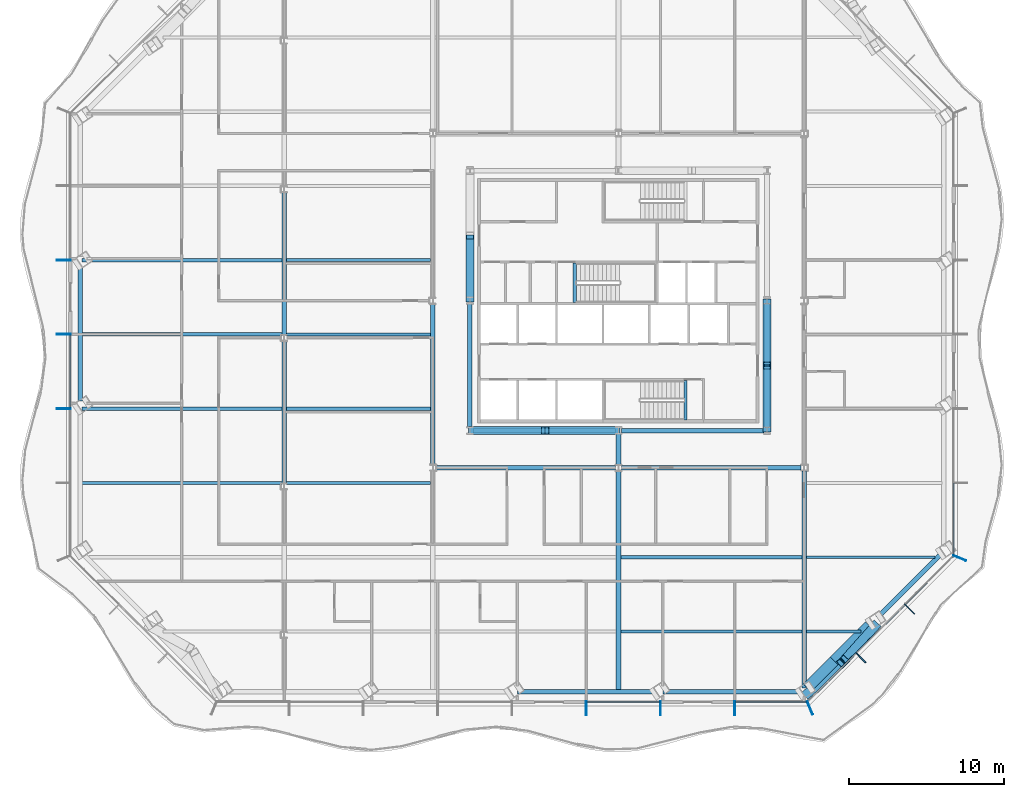
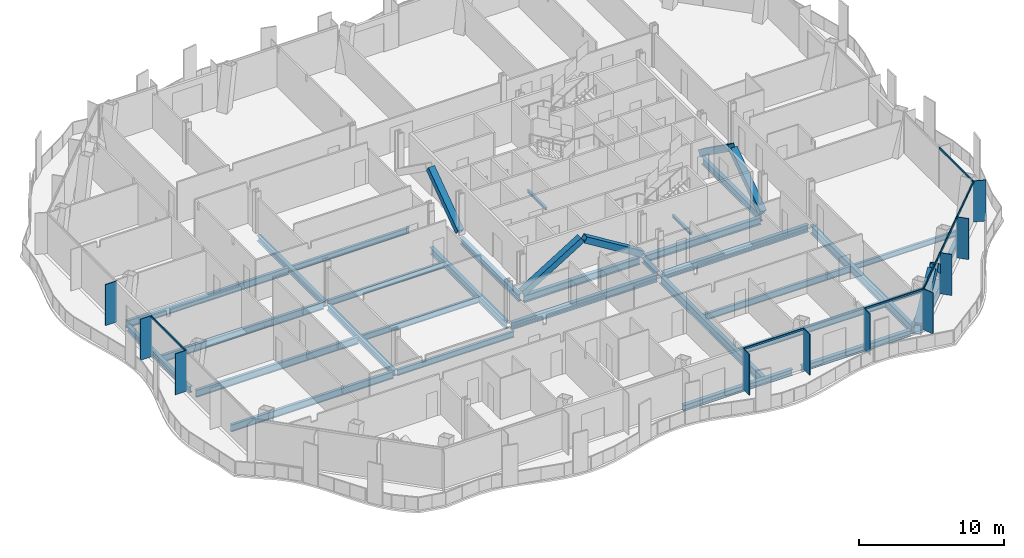
# One storey, part 2 of 19: 32 beams, 24 members, 4 elements without a shape of their own.
"""IFC4 building model written with IfcOpenShell, lengths in metres."""

from ifc_helpers import new_model, si_unit, direction, frame, origin, origin_2d, place, context, subcontext, project, spatial, rectangle, hollow_rectangle, i_section, extrude, material, material_profile, profile_set, type_object, element, aggregate, save


model = new_model("IFC4")

# Units and contexts
model_context = context("Model", 3, precision=1e-05, world=origin(), true_north=direction((0.0, 1.0)))
body_context = subcontext(model_context, "Body", "Model", "MODEL_VIEW")
ifc_project = project(units=[si_unit("LENGTHUNIT", "METRE"), si_unit("AREAUNIT", "SQUARE_METRE"), si_unit("VOLUMEUNIT", "CUBIC_METRE"), si_unit("PLANEANGLEUNIT", "RADIAN"), si_unit("MASSUNIT", "GRAM", prefix="KILO")], contexts=[model_context])

# Site, building, storey
site_placement = place(None, origin())
site = spatial("IfcSite", under=ifc_project, at=site_placement, CompositionType="ELEMENT")
building_placement = place(site_placement, origin())
building = spatial("IfcBuilding", under=site, at=building_placement, Name="Cairn Pilgrim Tower", CompositionType="ELEMENT")
storey_placement = place(building_placement, frame((0.0, 0.0, 90.60009765625)))
storey = spatial("IfcBuildingStorey", under=building, at=storey_placement, Name="L21", CompositionType="ELEMENT", Elevation=90.60009765625)

# Members
ifc_material_1 = material(Name="Structural steel S460M", Category="steel")
ifc_material_profile_1 = material_profile(ifc_material_1, hollow_rectangle(XDim=0.5, YDim=0.5, WallThickness=0.030029296875, at=origin_2d()), Name="BOX 500x500x30")
ifc_profile_set_1 = profile_set([ifc_material_profile_1], Name="Structural steel S460M")
member_type_1 = type_object("IfcMemberType", Name="BOX 500x500x30 BRACE", PredefinedType="BRACE", material=ifc_profile_set_1)
member_1_placement = place(storey_placement, frame((-2.356201171875, -6.0, 0.099853515625), z_axis=(0.850990224345, 0.0, 0.525181528683), x_axis=(0.0, 1.0, 0.0)))
element("IfcMember", 1, at=member_1_placement, inside=storey, type_object=member_type_1, Name="KB-1A", PredefinedType="BRACE", context=body_context, shape_type="SweptSolid", body=[
    extrude(hollow_rectangle(XDim=0.5, YDim=0.5, WallThickness=0.030029296875, at=origin_2d()), origin(), (0.0, 0.0, 1.0), 5.5263671875),
])
member_2_placement = place(storey_placement, frame((7.15625, -6.0, 0.099853515625), z_axis=(-0.851007515624, 0.0, 0.525153509321), x_axis=(0.0, -1.0, 0.0)))
element("IfcMember", 2, at=member_2_placement, inside=storey, type_object=member_type_1, Name="KB-1B", PredefinedType="BRACE", context=body_context, shape_type="SweptSolid", body=[
    extrude(hollow_rectangle(XDim=0.5, YDim=0.5, WallThickness=0.030029296875, at=origin_2d()), origin(), (0.0, 0.0, 1.0), 5.37646484375),
])
member_3_placement = place(storey_placement, frame((16.800048828125, -5.956298828125, 0.099853515625), z_axis=(0.0, 0.814175628242, 0.580618675532), x_axis=(-1.0, 0.0, 0.0)))
element("IfcMember", 3, at=member_3_placement, inside=storey, type_object=member_type_1, Name="KB-2A", PredefinedType="BRACE", context=body_context, shape_type="SweptSolid", body=[
    extrude(hollow_rectangle(XDim=0.5, YDim=0.5, WallThickness=0.030029296875, at=origin_2d()), origin(), (0.0, 0.0, 1.0), 4.99658203125),
])
member_4_placement = place(storey_placement, frame((16.800048828125, 2.356201171875, 0.099853515625), z_axis=(0.0, -0.814159155237, 0.580641774198), x_axis=(1.0, 0.0, 0.0)))
element("IfcMember", 4, at=member_4_placement, inside=storey, type_object=member_type_1, Name="KB-2B", PredefinedType="BRACE", context=body_context, shape_type="SweptSolid", body=[
    extrude(hollow_rectangle(XDim=0.5, YDim=0.5, WallThickness=0.030029296875, at=origin_2d()), origin(), (0.0, 0.0, 1.0), 4.996337890625),
])
member_5_placement = place(storey_placement, frame((-2.39990234375, 2.443603515625, 0.099853515625), z_axis=(0.0, 0.814175628242, 0.580618675532), x_axis=(-1.0, 0.0, 0.0)))
element("IfcMember", 5, at=member_5_placement, inside=storey, type_object=member_type_1, Name="KB-4B", PredefinedType="BRACE", context=body_context, shape_type="SweptSolid", body=[
    extrude(hollow_rectangle(XDim=0.5, YDim=0.5, WallThickness=0.030029296875, at=origin_2d()), origin(), (0.0, 0.0, 1.0), 4.99658203125),
])
ifc_material_profile_2 = material_profile(ifc_material_1, hollow_rectangle(XDim=0.60009765625, YDim=0.60009765625, WallThickness=0.034912109375, at=origin_2d()), Name="BOX 600x600x35")
ifc_profile_set_2 = profile_set([ifc_material_profile_2], Name="Structural steel S460M")
member_type_2 = type_object("IfcMemberType", Name="BOX 600x600x35 BRACE", PredefinedType="BRACE", material=ifc_profile_set_2)
member_6_placement = place(storey_placement, frame((19.3916015625, -23.01708984375, 0.14990234375), z_axis=(0.559600082454, 0.498888176542, 0.661784205783), x_axis=(-0.6654554031, 0.746437610578, 0.0)))
element("IfcMember", 6, at=member_6_placement, inside=storey, type_object=member_type_2, Name="XB-SE1-SE2-1", PredefinedType="BRACE", context=body_context, shape_type="SweptSolid", body=[
    extrude(hollow_rectangle(XDim=0.60009765625, YDim=0.60009765625, WallThickness=0.034912109375, at=origin_2d()), origin(), (0.0, 0.0, 1.0), 3.9970703125),
])
member_7_placement = place(storey_placement, frame((23.81494140625, -18.593994140625, 0.14990234375), z_axis=(-0.498934051061, -0.559583030459, 0.661764040059), x_axis=(0.746397143023, -0.665500792552, 0.0)))
element("IfcMember", 7, at=member_7_placement, inside=storey, type_object=member_type_2, Name="XB-SE1-SE2-2", PredefinedType="BRACE", context=body_context, shape_type="SweptSolid", body=[
    extrude(hollow_rectangle(XDim=0.60009765625, YDim=0.60009765625, WallThickness=0.034912109375, at=origin_2d()), origin(), (0.0, 0.0, 1.0), 3.997314453125),
])

# Beams
ifc_material_2 = material(Name="Structural steel S355J2", Category="steel")
ifc_material_profile_3 = material_profile(ifc_material_2, hollow_rectangle(XDim=0.699951171875, YDim=0.800048828125, WallThickness=0.0400390625, at=origin_2d()), Name="BOX 700x800x40")
ifc_profile_set_3 = profile_set([ifc_material_profile_3], Name="Structural steel S355J2")
beam_type_1 = type_object("IfcBeamType", Name="BOX 700x800x40 RING GIRDER", PredefinedType="SPANDREL", material=ifc_profile_set_3)
beam_1_placement = place(storey_placement, frame((19.40234375, -22.6318359375, -0.550048828125), z_axis=(0.707057355626, 0.707156203292, 0.0), x_axis=(-0.707156203292, 0.707057355626, 0.0)))
element("IfcBeam", 8, at=beam_1_placement, inside=storey, type_object=beam_type_1, Name="RG1-SE1-SE2-1", PredefinedType="SPANDREL", context=body_context, shape_type="SweptSolid", body=[
    extrude(hollow_rectangle(XDim=0.699951171875, YDim=0.800048828125, WallThickness=0.0400390625, at=origin_2d()), origin(), (0.0, 0.0, 1.0), 2.469970703125),
])
beam_2_placement = place(storey_placement, frame((21.148681640625, -20.88525390625, -0.550048828125), z_axis=(0.707106781187, 0.707106781187, 0.0), x_axis=(-0.707106781187, 0.707106781187, 0.0)))
element("IfcBeam", 9, at=beam_2_placement, inside=storey, type_object=beam_type_1, Name="RG1-SE1-SE2-2", PredefinedType="SPANDREL", context=body_context, shape_type="SweptSolid", body=[
    extrude(hollow_rectangle(XDim=0.699951171875, YDim=0.800048828125, WallThickness=0.0400390625, at=origin_2d()), origin(), (0.0, 0.0, 1.0), 3.2255859375),
])

# Curtain wall, members
ifc_material_3 = material(Name="Aluminium alloy 6063-T6 bronze anodised with Bronze tinted laminated low-E glass 8+16+8.8", Category="aluminium")
curtain_wall_type_1 = type_object("IfcCurtainWallType", Name="TOWER STICK CURTAIN WALL NS", PredefinedType="NOTDEFINED", material=ifc_material_3)
curtain_wall_1_placement = place(storey_placement, origin())
curtain_wall_1 = element("IfcCurtainWall", 10, at=curtain_wall_1_placement, inside=storey, type_object=curtain_wall_type_1, Name="Tower Stick Curtain Wall Ns S", PredefinedType="NOTDEFINED")
ifc_material_4 = material(Name="Aluminium alloy 6063-T6 bronze anodised", Category="aluminium")
ifc_material_profile_4 = material_profile(ifc_material_4, rectangle(XDim=0.89990234375, YDim=0.06005859375, at=origin_2d()), Name="FIN MULLION 60x900 BRONZE")
ifc_profile_set_4 = profile_set([ifc_material_profile_4], Name="Aluminium alloy 6063-T6 bronze anodised")
member_type_3 = type_object("IfcMemberType", Name="FIN MULLION 60x900 BRONZE", PredefinedType="MULLION", material=ifc_profile_set_4)
member_8_placement = place(storey_placement, frame((5.12060546875, -23.956298828125, 0.0), z_axis=(0.0, 0.0, 1.0), x_axis=(0.0, -1.0, 0.0)))
member_8 = element("IfcMember", 11, at=member_8_placement, type_object=member_type_3, Name="Fin mullion S6", PredefinedType="MULLION", context=body_context, shape_type="SweptSolid", body=[
    extrude(rectangle(XDim=0.89990234375, YDim=0.06005859375, at=origin_2d()), origin(), (0.0, 0.0, 1.0), 3.449951171875),
])
member_9_placement = place(storey_placement, frame((9.92041015625, -23.956298828125, 0.0), z_axis=(0.0, 0.0, 1.0), x_axis=(0.0, -1.0, 0.0)))
member_9 = element("IfcMember", 12, at=member_9_placement, type_object=member_type_3, Name="Fin mullion S7", PredefinedType="MULLION", context=body_context, shape_type="SweptSolid", body=[
    extrude(rectangle(XDim=0.89990234375, YDim=0.06005859375, at=origin_2d()), origin(), (0.0, 0.0, 1.0), 3.449951171875),
])
member_10_placement = place(storey_placement, frame((14.720458984375, -23.956298828125, 0.0), z_axis=(0.0, 0.0, 1.0), x_axis=(0.0, -1.0, 0.0)))
member_10 = element("IfcMember", 13, at=member_10_placement, type_object=member_type_3, Name="Fin mullion S8", PredefinedType="MULLION", context=body_context, shape_type="SweptSolid", body=[
    extrude(rectangle(XDim=0.89990234375, YDim=0.06005859375, at=origin_2d()), origin(), (0.0, 0.0, 1.0), 3.449951171875),
])

curtain_wall_type_2 = type_object("IfcCurtainWallType", Name="CHAMFER CORNER CURTAIN WALL", PredefinedType="NOTDEFINED", material=ifc_material_3)
curtain_wall_2_placement = place(storey_placement, origin())
curtain_wall_2 = element("IfcCurtainWall", 14, at=curtain_wall_2_placement, inside=storey, type_object=curtain_wall_type_2, Name="Chamfer Corner Curtain Wall SE", PredefinedType="NOTDEFINED")
member_11_placement = place(storey_placement, frame((19.57763671875, -23.92431640625, 0.0), z_axis=(0.0, 0.0, 1.0), x_axis=(0.382683432365, -0.923879532511, 0.0)))
member_11 = element("IfcMember", 15, at=member_11_placement, type_object=member_type_3, Name="Fin mullion SE1", PredefinedType="MULLION", context=body_context, shape_type="SweptSolid", body=[
    extrude(rectangle(XDim=0.89990234375, YDim=0.06005859375, at=origin_2d()), origin(), (0.0, 0.0, 1.0), 3.449951171875),
])
member_12_placement = place(storey_placement, frame((22.864990234375, -20.68212890625, 0.0), z_axis=(0.0, 0.0, 1.0), x_axis=(0.707106781187, -0.707106781187, 0.0)))
member_12 = element("IfcMember", 16, at=member_12_placement, type_object=member_type_3, Name="Fin mullion SE2", PredefinedType="MULLION", context=body_context, shape_type="SweptSolid", body=[
    extrude(rectangle(XDim=0.89990234375, YDim=0.06005859375, at=origin_2d()), origin(), (0.0, 0.0, 1.0), 3.449951171875),
])
member_13_placement = place(storey_placement, frame((26.016357421875, -17.531005859375, 0.0), z_axis=(0.0, 0.0, 1.0), x_axis=(0.707106781187, -0.707106781187, 0.0)))
member_13 = element("IfcMember", 17, at=member_13_placement, type_object=member_type_3, Name="Fin mullion SE3", PredefinedType="MULLION", context=body_context, shape_type="SweptSolid", body=[
    extrude(rectangle(XDim=0.89990234375, YDim=0.06005859375, at=origin_2d()), origin(), (0.0, 0.0, 1.0), 3.449951171875),
])

# Curtain wall, member
curtain_wall_type_3 = type_object("IfcCurtainWallType", Name="TOWER STICK CURTAIN WALL EW", PredefinedType="NOTDEFINED", material=ifc_material_3)
curtain_wall_3_placement = place(storey_placement, origin())
curtain_wall_3 = element("IfcCurtainWall", 18, at=curtain_wall_3_placement, inside=storey, type_object=curtain_wall_type_3, Name="Tower Stick Curtain Wall Ew E", PredefinedType="NOTDEFINED")
member_14_placement = place(storey_placement, frame((29.258544921875, -14.243408203125, 0.0), z_axis=(0.0, 0.0, 1.0), x_axis=(0.923879532511, -0.382683432365, 0.0)))
member_14 = element("IfcMember", 19, at=member_14_placement, type_object=member_type_3, Name="Fin mullion E1", PredefinedType="MULLION", context=body_context, shape_type="SweptSolid", body=[
    extrude(rectangle(XDim=0.89990234375, YDim=0.06005859375, at=origin_2d()), origin(), (0.0, 0.0, 1.0), 3.449951171875),
])

# Curtain wall, members
curtain_wall_4_placement = place(storey_placement, origin())
curtain_wall_4 = element("IfcCurtainWall", 20, at=curtain_wall_4_placement, inside=storey, type_object=curtain_wall_type_3, Name="Tower Stick Curtain Wall Ew W", PredefinedType="NOTDEFINED")
member_15_placement = place(storey_placement, frame((-28.6494140625, 5.013671875, 0.0), z_axis=(0.0, 0.0, 1.0), x_axis=(-1.0, 0.0, 0.0)))
member_15 = element("IfcMember", 21, at=member_15_placement, type_object=member_type_3, Name="Fin mullion W3", PredefinedType="MULLION", context=body_context, shape_type="SweptSolid", body=[
    extrude(rectangle(XDim=0.89990234375, YDim=0.06005859375, at=origin_2d()), origin(), (0.0, 0.0, 1.0), 3.449951171875),
])
member_16_placement = place(storey_placement, frame((-28.6494140625, 0.213623046875, 0.0), z_axis=(0.0, 0.0, 1.0), x_axis=(-1.0, 0.0, 0.0)))
member_16 = element("IfcMember", 22, at=member_16_placement, type_object=member_type_3, Name="Fin mullion W4", PredefinedType="MULLION", context=body_context, shape_type="SweptSolid", body=[
    extrude(rectangle(XDim=0.89990234375, YDim=0.06005859375, at=origin_2d()), origin(), (0.0, 0.0, 1.0), 3.449951171875),
])
member_17_placement = place(storey_placement, frame((-28.6494140625, -4.58642578125, 0.0), z_axis=(0.0, 0.0, 1.0), x_axis=(-1.0, 0.0, 0.0)))
member_17 = element("IfcMember", 23, at=member_17_placement, type_object=member_type_3, Name="Fin mullion W5", PredefinedType="MULLION", context=body_context, shape_type="SweptSolid", body=[
    extrude(rectangle(XDim=0.89990234375, YDim=0.06005859375, at=origin_2d()), origin(), (0.0, 0.0, 1.0), 3.449951171875),
])

# Beams
ifc_material_profile_5 = material_profile(ifc_material_2, i_section(OverallWidth=0.300048828125, OverallDepth=0.39990234375, WebThickness=0.013427734375, FlangeThickness=0.02392578125, FilletRadius=0.027099609375, at=origin_2d()), Name="HEB 400")
ifc_profile_set_5 = profile_set([ifc_material_profile_5], Name="Structural steel S355J2")
beam_type_2 = type_object("IfcBeamType", Name="HEB 400 GIRDER", PredefinedType="BEAM", material=ifc_profile_set_5)
beam_3_placement = place(storey_placement, frame((7.199951171875, -8.195556640625, -0.35009765625), z_axis=(0.0, 1.0, 0.0), x_axis=(-1.0, 0.0, 0.0)))
element("IfcBeam", 24, at=beam_3_placement, inside=storey, type_object=beam_type_2, Name="PG3-E1", PredefinedType="BEAM", context=body_context, shape_type="SweptSolid", body=[
    extrude(i_section(OverallWidth=0.300048828125, OverallDepth=0.39990234375, WebThickness=0.013427734375, FlangeThickness=0.02392578125, FilletRadius=0.027099609375, at=origin_2d()), origin(), (0.0, 0.0, 1.0), 1.97705078125),
])
ifc_material_profile_6 = material_profile(ifc_material_2, i_section(OverallWidth=0.300048828125, OverallDepth=0.5, WebThickness=0.014404296875, FlangeThickness=0.028076171875, FilletRadius=0.027099609375, at=origin_2d()), Name="HEB 500")
ifc_profile_set_6 = profile_set([ifc_material_profile_6], Name="Structural steel S355J2")
beam_type_3 = type_object("IfcBeamType", Name="HEB 500 GIRDER", PredefinedType="BEAM", material=ifc_profile_set_6)
for number, where, z_axis, x_axis, name in (
    (25, (-14.39990234375, -9.3955078125, -0.400146484375), (0.0, 1.0, 0.0), (-1.0, 0.0, 0.0), "PG1-3"),
    (26, (-14.39990234375, 0.20458984375, -0.400146484375), (0.0, 1.0, 0.0), (-1.0, 0.0, 0.0), "PG1-4"),
):
    element("IfcBeam", number, at=place(storey_placement, frame(where, z_axis=z_axis, x_axis=x_axis)), inside=storey, type_object=beam_type_3, Name=name, PredefinedType="BEAM", context=body_context, shape_type="SweptSolid", body=[
        extrude(i_section(OverallWidth=0.300048828125, OverallDepth=0.5, WebThickness=0.014404296875, FlangeThickness=0.028076171875, FilletRadius=0.027099609375, at=origin_2d()), origin(), (0.0, 0.0, 1.0), 9.19091796875),
    ])
ifc_material_profile_7 = material_profile(ifc_material_2, i_section(OverallWidth=0.300048828125, OverallDepth=0.5, WebThickness=0.014404296875, FlangeThickness=0.028076171875, FilletRadius=0.027099609375, at=origin_2d()), Name="HEB 500")
ifc_profile_set_7 = profile_set([ifc_material_profile_7], Name="Structural steel S355J2")
beam_type_4 = type_object("IfcBeamType", Name="HEB 500 RING GIRDER", PredefinedType="SPANDREL", material=ifc_profile_set_7)
for number, where, z_axis, x_axis, name in (
    (27, (0.680419921875, -22.88623046875, -0.400146484375), (1.0, 0.0, 0.0), (0.0, 1.0, 0.0), "RG1-S3-S4"),
    (28, (10.093994140625, -22.88623046875, -0.400146484375), (1.0, 0.0, 0.0), (0.0, 1.0, 0.0), "RG1-S4-SE1"),
):
    element("IfcBeam", number, at=place(storey_placement, frame(where, z_axis=z_axis, x_axis=x_axis)), inside=storey, type_object=beam_type_4, Name=name, PredefinedType="SPANDREL", context=body_context, shape_type="SweptSolid", body=[
        extrude(i_section(OverallWidth=0.300048828125, OverallDepth=0.5, WebThickness=0.014404296875, FlangeThickness=0.028076171875, FilletRadius=0.027099609375, at=origin_2d()), origin(), (0.0, 0.0, 1.0), 8.693603515625),
    ])
beam_4_placement = place(storey_placement, frame((23.938720703125, -18.095458984375, -0.400146484375), z_axis=(0.707085347538, 0.707128214185, 0.0), x_axis=(-0.707128214185, 0.707085347538, 0.0)))
element("IfcBeam", 29, at=beam_4_placement, inside=storey, type_object=beam_type_4, Name="RG1-SE2-E1", PredefinedType="SPANDREL", context=body_context, shape_type="SweptSolid", body=[
    extrude(i_section(OverallWidth=0.300048828125, OverallDepth=0.5, WebThickness=0.014404296875, FlangeThickness=0.028076171875, FilletRadius=0.027099609375, at=origin_2d()), origin(), (0.0, 0.0, 1.0), 5.6953125),
])
beam_5_placement = place(storey_placement, frame((-27.57958984375, 4.529296875, -0.400146484375), z_axis=(0.0, -1.0, 0.0), x_axis=(1.0, 0.0, 0.0)))
element("IfcBeam", 30, at=beam_5_placement, inside=storey, type_object=beam_type_4, Name="RG1-W2-W3", PredefinedType="SPANDREL", context=body_context, shape_type="SweptSolid", body=[
    extrude(i_section(OverallWidth=0.300048828125, OverallDepth=0.5, WebThickness=0.014404296875, FlangeThickness=0.028076171875, FilletRadius=0.027099609375, at=origin_2d()), origin(), (0.0, 0.0, 1.0), 8.63134765625),
])
ifc_material_profile_8 = material_profile(ifc_material_2, i_section(OverallWidth=0.300048828125, OverallDepth=0.60009765625, WebThickness=0.015380859375, FlangeThickness=0.030029296875, FilletRadius=0.027099609375, at=origin_2d()), Name="HEB 600")
ifc_profile_set_8 = profile_set([ifc_material_profile_8], Name="Structural steel S355J2")
beam_type_5 = type_object("IfcBeamType", Name="HEB 600 CORE BEAM", PredefinedType="BEAM", material=ifc_profile_set_8)
beam_6_placement = place(storey_placement, frame((-2.203369140625, -6.0, -0.4501953125), z_axis=(1.0, 0.0, 0.0), x_axis=(0.0, 1.0, 0.0)))
element("IfcBeam", 31, at=beam_6_placement, inside=storey, type_object=beam_type_5, Name="CB-1", PredefinedType="BEAM", context=body_context, shape_type="SweptSolid", body=[
    extrude(i_section(OverallWidth=0.300048828125, OverallDepth=0.60009765625, WebThickness=0.015380859375, FlangeThickness=0.030029296875, FilletRadius=0.027099609375, at=origin_2d()), origin(), (0.0, 0.0, 1.0), 9.206787109375),
])
beam_7_placement = place(storey_placement, frame((7.396728515625, -6.0, -0.4501953125), z_axis=(1.0, 0.0, 0.0), x_axis=(0.0, 1.0, 0.0)))
element("IfcBeam", 32, at=beam_7_placement, inside=storey, type_object=beam_type_5, Name="CB-2", PredefinedType="BEAM", context=body_context, shape_type="SweptSolid", body=[
    extrude(i_section(OverallWidth=0.300048828125, OverallDepth=0.60009765625, WebThickness=0.015380859375, FlangeThickness=0.030029296875, FilletRadius=0.027099609375, at=origin_2d()), origin(), (0.0, 0.0, 1.0), 9.20654296875),
])
for number, where, z_axis, x_axis, name in (
    (33, (16.800048828125, -5.803466796875, -0.4501953125), (0.0, 1.0, 0.0), (-1.0, 0.0, 0.0), "CB-3"),
    (34, (-2.39990234375, 2.203369140625, -0.4501953125), (0.0, -1.0, 0.0), (1.0, 0.0, 0.0), "CB-8"),
):
    element("IfcBeam", number, at=place(storey_placement, frame(where, z_axis=z_axis, x_axis=x_axis)), inside=storey, type_object=beam_type_5, Name=name, PredefinedType="BEAM", context=body_context, shape_type="SweptSolid", body=[
        extrude(i_section(OverallWidth=0.300048828125, OverallDepth=0.60009765625, WebThickness=0.015380859375, FlangeThickness=0.030029296875, FilletRadius=0.027099609375, at=origin_2d()), origin(), (0.0, 0.0, 1.0), 8.0068359375),
    ])
ifc_material_profile_9 = material_profile(ifc_material_2, i_section(OverallWidth=0.300048828125, OverallDepth=0.60009765625, WebThickness=0.015380859375, FlangeThickness=0.030029296875, FilletRadius=0.027099609375, at=origin_2d()), Name="HEB 600")
ifc_profile_set_9 = profile_set([ifc_material_profile_9], Name="Structural steel S355J2")
beam_type_6 = type_object("IfcBeamType", Name="HEB 600 GIRDER", PredefinedType="BEAM", material=ifc_profile_set_9)
beam_8_placement = place(storey_placement, frame((-4.800048828125, -8.195556640625, -0.4501953125), z_axis=(0.0, 1.0, 0.0), x_axis=(-1.0, 0.0, 0.0)))
element("IfcBeam", 35, at=beam_8_placement, inside=storey, type_object=beam_type_6, Name="PG2-2", PredefinedType="BEAM", context=body_context, shape_type="SweptSolid", body=[
    extrude(i_section(OverallWidth=0.300048828125, OverallDepth=0.60009765625, WebThickness=0.015380859375, FlangeThickness=0.030029296875, FilletRadius=0.027099609375, at=origin_2d()), origin(), (0.0, 0.0, 1.0), 10.39111328125),
])
ifc_material_profile_10 = material_profile(ifc_material_2, i_section(OverallWidth=0.300048828125, OverallDepth=0.60009765625, WebThickness=0.015380859375, FlangeThickness=0.030029296875, FilletRadius=0.027099609375, at=origin_2d()), Name="HEB 600")
ifc_profile_set_10 = profile_set([ifc_material_profile_10], Name="Structural steel S355J2")
beam_type_7 = type_object("IfcBeamType", Name="HEB 600 INNER GIRDER", PredefinedType="BEAM", material=ifc_profile_set_10)
for number, where, z_axis, x_axis, name in (
    (36, (-4.595458984375, -8.39990234375, -0.4501953125), (1.0, 0.0, 0.0), (0.0, 1.0, 0.0), "IG1-1"),
    (37, (7.404541015625, -8.39990234375, -0.4501953125), (1.0, 0.0, 0.0), (0.0, 1.0, 0.0), "IG1-2"),
):
    element("IfcBeam", number, at=place(storey_placement, frame(where, z_axis=z_axis, x_axis=x_axis)), inside=storey, type_object=beam_type_7, Name=name, PredefinedType="BEAM", context=body_context, shape_type="SweptSolid", body=[
        extrude(i_section(OverallWidth=0.300048828125, OverallDepth=0.60009765625, WebThickness=0.015380859375, FlangeThickness=0.030029296875, FilletRadius=0.027099609375, at=origin_2d()), origin(), (0.0, 0.0, 1.0), 11.591064453125),
    ])
ifc_material_profile_11 = material_profile(ifc_material_2, i_section(OverallWidth=0.300048828125, OverallDepth=0.699951171875, WebThickness=0.01708984375, FlangeThickness=0.031982421875, FilletRadius=0.027099609375, at=origin_2d()), Name="HEB 700")
ifc_profile_set_11 = profile_set([ifc_material_profile_11], Name="Structural steel S355J2")
beam_type_8 = type_object("IfcBeamType", Name="HEB 700 GIRDER", PredefinedType="BEAM", material=ifc_profile_set_11)
beam_9_placement = place(storey_placement, frame((7.199951171875, -22.766357421875, -0.5), z_axis=(0.0, 1.0, 0.0), x_axis=(-1.0, 0.0, 0.0)))
element("IfcBeam", 38, at=beam_9_placement, inside=storey, type_object=beam_type_8, Name="PG3-1", PredefinedType="BEAM", context=body_context, shape_type="SweptSolid", body=[
    extrude(i_section(OverallWidth=0.300048828125, OverallDepth=0.699951171875, WebThickness=0.01708984375, FlangeThickness=0.031982421875, FilletRadius=0.027099609375, at=origin_2d()), origin(), (0.0, 0.0, 1.0), 14.161865234375),
])
beam_10_placement = place(storey_placement, frame((19.199951171875, -22.65185546875, -0.5), z_axis=(0.0, 1.0, 0.0), x_axis=(-1.0, 0.0, 0.0)))
element("IfcBeam", 39, at=beam_10_placement, inside=storey, type_object=beam_type_8, Name="PG4-1", PredefinedType="BEAM", context=body_context, shape_type="SweptSolid", body=[
    extrude(i_section(OverallWidth=0.300048828125, OverallDepth=0.699951171875, WebThickness=0.01708984375, FlangeThickness=0.031982421875, FilletRadius=0.027099609375, at=origin_2d()), origin(), (0.0, 0.0, 1.0), 14.04736328125),
])
ifc_material_profile_12 = material_profile(ifc_material_2, i_section(OverallWidth=0.169921875, OverallDepth=0.360107421875, WebThickness=0.008056640625, FlangeThickness=0.0126953125, FilletRadius=0.01806640625, at=origin_2d()), Name="IPE 360")
ifc_profile_set_12 = profile_set([ifc_material_profile_12], Name="Structural steel S355J2")
beam_type_9 = type_object("IfcBeamType", Name="IPE 360 SECONDARY BEAM", PredefinedType="JOIST", material=ifc_profile_set_12)
beam_11_placement = place(storey_placement, frame((19.35009765625, -18.986328125, -0.330078125), z_axis=(1.0, 0.0, 0.0), x_axis=(0.0, 1.0, 0.0)))
element("IfcBeam", 40, at=beam_11_placement, inside=storey, type_object=beam_type_9, Name="SB1-5", PredefinedType="JOIST", context=body_context, shape_type="SweptSolid", body=[
    extrude(i_section(OverallWidth=0.169921875, OverallDepth=0.360107421875, WebThickness=0.008056640625, FlangeThickness=0.0126953125, FilletRadius=0.01806640625, at=origin_2d()), origin(), (0.0, 0.0, 1.0), 3.515380859375),
])
ifc_material_profile_13 = material_profile(ifc_material_2, i_section(OverallWidth=0.18994140625, OverallDepth=0.449951171875, WebThickness=0.009521484375, FlangeThickness=0.0146484375, FilletRadius=0.02099609375, at=origin_2d()), Name="IPE 450")
ifc_profile_set_13 = profile_set([ifc_material_profile_13], Name="Structural steel S355J2")
beam_type_10 = type_object("IfcBeamType", Name="IPE 450 SECONDARY BEAM", PredefinedType="JOIST", material=ifc_profile_set_13)
beam_12_placement = place(storey_placement, frame((19.35009765625, -14.186279296875, -0.375), z_axis=(1.0, 0.0, 0.0), x_axis=(0.0, 1.0, 0.0)))
element("IfcBeam", 41, at=beam_12_placement, inside=storey, type_object=beam_type_10, Name="SB2-5", PredefinedType="JOIST", context=body_context, shape_type="SweptSolid", body=[
    extrude(i_section(OverallWidth=0.18994140625, OverallDepth=0.449951171875, WebThickness=0.009521484375, FlangeThickness=0.0146484375, FilletRadius=0.02099609375, at=origin_2d()), origin(), (0.0, 0.0, 1.0), 8.3154296875),
])
ifc_material_profile_14 = material_profile(ifc_material_2, i_section(OverallWidth=0.199951171875, OverallDepth=0.5, WebThickness=0.01025390625, FlangeThickness=0.01611328125, FilletRadius=0.02099609375, at=origin_2d()), Name="IPE 500")
ifc_profile_set_14 = profile_set([ifc_material_profile_14], Name="Structural steel S355J2")
beam_type_11 = type_object("IfcBeamType", Name="IPE 500 SECONDARY BEAM", PredefinedType="JOIST", material=ifc_profile_set_14)
for number, where, z_axis, x_axis, name in (
    (42, (-14.25, -9.38623046875, -0.400146484375), (1.0, 0.0, 0.0), (0.0, 1.0, 0.0), "SB3-2"),
    (43, (-14.25, -4.586181640625, -0.400146484375), (1.0, 0.0, 0.0), (0.0, 1.0, 0.0), "SB4-2"),
    (44, (-14.25, 0.213623046875, -0.400146484375), (1.0, 0.0, 0.0), (0.0, 1.0, 0.0), "SB5-2"),
    (45, (-14.25, 5.013671875, -0.400146484375), (1.0, 0.0, 0.0), (0.0, 1.0, 0.0), "SB6-2"),
):
    element("IfcBeam", number, at=place(storey_placement, frame(where, z_axis=z_axis, x_axis=x_axis)), inside=storey, type_object=beam_type_11, Name=name, PredefinedType="JOIST", context=body_context, shape_type="SweptSolid", body=[
        extrude(i_section(OverallWidth=0.199951171875, OverallDepth=0.5, WebThickness=0.01025390625, FlangeThickness=0.01611328125, FilletRadius=0.02099609375, at=origin_2d()), origin(), (0.0, 0.0, 1.0), 9.300048828125),
    ])
ifc_material_profile_15 = material_profile(ifc_material_2, i_section(OverallWidth=0.2099609375, OverallDepth=0.550048828125, WebThickness=0.010986328125, FlangeThickness=0.01708984375, FilletRadius=0.02392578125, at=origin_2d()), Name="IPE 550")
ifc_profile_set_15 = profile_set([ifc_material_profile_15], Name="Structural steel S355J2")
beam_type_12 = type_object("IfcBeamType", Name="IPE 550 SECONDARY BEAM", PredefinedType="JOIST", material=ifc_profile_set_15)
for number, where, z_axis, x_axis, name in (
    (46, (7.35009765625, -18.986328125, -0.425048828125), (1.0, 0.0, 0.0), (0.0, 1.0, 0.0), "SB1-4"),
    (47, (7.35009765625, -14.186279296875, -0.425048828125), (1.0, 0.0, 0.0), (0.0, 1.0, 0.0), "SB2-4"),
):
    element("IfcBeam", number, at=place(storey_placement, frame(where, z_axis=z_axis, x_axis=x_axis)), inside=storey, type_object=beam_type_12, Name=name, PredefinedType="JOIST", context=body_context, shape_type="SweptSolid", body=[
        extrude(i_section(OverallWidth=0.2099609375, OverallDepth=0.550048828125, WebThickness=0.010986328125, FlangeThickness=0.01708984375, FilletRadius=0.02392578125, at=origin_2d()), origin(), (0.0, 0.0, 1.0), 11.699951171875),
    ])
ifc_material_profile_16 = material_profile(ifc_material_2, i_section(OverallWidth=0.219970703125, OverallDepth=0.60009765625, WebThickness=0.011962890625, FlangeThickness=0.01904296875, FilletRadius=0.02392578125, at=origin_2d()), Name="IPE 600")
ifc_profile_set_16 = profile_set([ifc_material_profile_16], Name="Structural steel S355J2")
beam_type_13 = type_object("IfcBeamType", Name="IPE 600 SECONDARY BEAM", PredefinedType="JOIST", material=ifc_profile_set_16)
for number, where, z_axis, x_axis, name in (
    (48, (-27.45947265625, -9.38623046875, -0.4501953125), (1.0, 0.0, 0.0), (0.0, 1.0, 0.0), "SB3-1"),
    (49, (-27.45947265625, -4.586181640625, -0.4501953125), (1.0, 0.0, 0.0), (0.0, 1.0, 0.0), "SB4-1"),
    (50, (-27.45947265625, 0.213623046875, -0.4501953125), (1.0, 0.0, 0.0), (0.0, 1.0, 0.0), "SB5-1"),
    (51, (-27.45947265625, 5.013671875, -0.4501953125), (1.0, 0.0, 0.0), (0.0, 1.0, 0.0), "SB6-1"),
):
    element("IfcBeam", number, at=place(storey_placement, frame(where, z_axis=z_axis, x_axis=x_axis)), inside=storey, type_object=beam_type_13, Name=name, PredefinedType="JOIST", context=body_context, shape_type="SweptSolid", body=[
        extrude(i_section(OverallWidth=0.219970703125, OverallDepth=0.60009765625, WebThickness=0.011962890625, FlangeThickness=0.01904296875, FilletRadius=0.02392578125, at=origin_2d()), origin(), (0.0, 0.0, 1.0), 12.909423828125),
    ])
ifc_material_profile_17 = material_profile(ifc_material_2, i_section(OverallWidth=0.199951171875, OverallDepth=0.199951171875, WebThickness=0.009033203125, FlangeThickness=0.014892578125, FilletRadius=0.01806640625, at=origin_2d()), Name="HE 200 B")
ifc_profile_set_17 = profile_set([ifc_material_profile_17], Name="Structural steel S355J2")
beam_type_14 = type_object("IfcBeamType", Name="STAIR LANDING BEAM HE 200 B", PredefinedType="BEAM", material=ifc_profile_set_17)
beam_13_placement = place(storey_placement, frame((11.5244140625, -2.77490234375, -0.25), z_axis=(0.0, -1.0, 0.0), x_axis=(1.0, 0.0, 0.0)))
element("IfcBeam", 52, at=beam_13_placement, inside=storey, type_object=beam_type_14, Name="STAIR LANDING BEAM LD-HE200B", PredefinedType="BEAM", context=body_context, shape_type="SweptSolid", body=[
    extrude(i_section(OverallWidth=0.199951171875, OverallDepth=0.199951171875, WebThickness=0.009033203125, FlangeThickness=0.014892578125, FilletRadius=0.01806640625, at=origin_2d()), origin(), (0.0, 0.0, 1.0), 2.525146484375),
])
beam_14_placement = place(storey_placement, frame((4.37548828125, 2.27490234375, -0.25), z_axis=(0.0, 1.0, 0.0), x_axis=(-1.0, 0.0, 0.0)))
element("IfcBeam", 53, at=beam_14_placement, inside=storey, type_object=beam_type_14, Name="STAIR LANDING BEAM LD-HE200B", PredefinedType="BEAM", context=body_context, shape_type="SweptSolid", body=[
    extrude(i_section(OverallWidth=0.199951171875, OverallDepth=0.199951171875, WebThickness=0.009033203125, FlangeThickness=0.014892578125, FilletRadius=0.01806640625, at=origin_2d()), origin(), (0.0, 0.0, 1.0), 2.550048828125),
])

# Member
ifc_material_profile_18 = material_profile(ifc_material_4, rectangle(XDim=0.080078125, YDim=0.14990234375, at=origin_2d()), Name="TRANSOM 80x150 BRONZE")
ifc_profile_set_18 = profile_set([ifc_material_profile_18], Name="Aluminium alloy 6063-T6 bronze anodised")
member_type_4 = type_object("IfcMemberType", Name="TRANSOM 80x150 BRONZE", PredefinedType="USERDEFINED", material=ifc_profile_set_18)
member_18_placement = place(storey_placement, frame((5.150390625, -23.536376953125, 3.375), z_axis=(1.0, 0.0, 0.0), x_axis=(0.0, 1.0, 0.0)))
member_18 = element("IfcMember", 54, at=member_18_placement, type_object=member_type_4, Name="Transom S6", ObjectType="TRANSOM", PredefinedType="USERDEFINED", context=body_context, shape_type="SweptSolid", body=[
    extrude(rectangle(XDim=0.080078125, YDim=0.14990234375, at=origin_2d()), origin(), (0.0, 0.0, 1.0), 4.739990234375),
])

member_19_placement = place(storey_placement, frame((14.75048828125, -23.536376953125, 3.375), z_axis=(1.0, 0.0, 0.0), x_axis=(0.0, 1.0, 0.0)))
member_19 = element("IfcMember", 55, at=member_19_placement, type_object=member_type_4, Name="Transom S8", ObjectType="TRANSOM", PredefinedType="USERDEFINED", context=body_context, shape_type="SweptSolid", body=[
    extrude(rectangle(XDim=0.080078125, YDim=0.14990234375, at=origin_2d()), origin(), (0.0, 0.0, 1.0), 4.62646484375),
])

aggregate(curtain_wall_1, [member_8, member_9, member_10, member_18, member_19])

member_20_placement = place(storey_placement, frame((19.4453125, -23.508056640625, 3.375), z_axis=(0.70707895165, 0.707134609628, 0.0), x_axis=(-0.707134609628, 0.70707895165, 0.0)))
member_20 = element("IfcMember", 56, at=member_20_placement, type_object=member_type_4, Name="Transom SE1", ObjectType="TRANSOM", PredefinedType="USERDEFINED", context=body_context, shape_type="SweptSolid", body=[
    extrude(rectangle(XDim=0.080078125, YDim=0.14990234375, at=origin_2d()), origin(), (0.0, 0.0, 1.0), 4.386474609375),
])

member_21_placement = place(storey_placement, frame((22.58935546875, -20.364013671875, 3.375), z_axis=(0.707079015032, 0.707134546251, 0.0), x_axis=(-0.707134546251, 0.707079015032, 0.0)))
member_21 = element("IfcMember", 57, at=member_21_placement, type_object=member_type_4, Name="Transom SE2", ObjectType="TRANSOM", PredefinedType="USERDEFINED", context=body_context, shape_type="SweptSolid", body=[
    extrude(rectangle(XDim=0.080078125, YDim=0.14990234375, at=origin_2d()), origin(), (0.0, 0.0, 1.0), 4.396484375),
])

member_22_placement = place(storey_placement, frame((25.740478515625, -17.212646484375, 3.375), z_axis=(0.707134609628, 0.70707895165, 0.0), x_axis=(-0.70707895165, 0.707134609628, 0.0)))
member_22 = element("IfcMember", 58, at=member_22_placement, type_object=member_type_4, Name="Transom SE3", ObjectType="TRANSOM", PredefinedType="USERDEFINED", context=body_context, shape_type="SweptSolid", body=[
    extrude(rectangle(XDim=0.080078125, YDim=0.14990234375, at=origin_2d()), origin(), (0.0, 0.0, 1.0), 4.386474609375),
])

aggregate(curtain_wall_2, [member_11, member_12, member_13, member_20, member_21, member_22])

member_23_placement = place(storey_placement, frame((28.87060546875, -14.042724609375, 3.375), z_axis=(0.0, 1.0, 0.0), x_axis=(-1.0, 0.0, 0.0)))
member_23 = element("IfcMember", 59, at=member_23_placement, type_object=member_type_4, Name="Transom E1", ObjectType="TRANSOM", PredefinedType="USERDEFINED", context=body_context, shape_type="SweptSolid", body=[
    extrude(rectangle(XDim=0.080078125, YDim=0.14990234375, at=origin_2d()), origin(), (0.0, 0.0, 1.0), 4.62646484375),
])

aggregate(curtain_wall_3, [member_14, member_23])

member_24_placement = place(storey_placement, frame((-28.2294921875, 0.18359375, 3.375), z_axis=(0.0, -1.0, 0.0), x_axis=(1.0, 0.0, 0.0)))
member_24 = element("IfcMember", 60, at=member_24_placement, type_object=member_type_4, Name="Transom W4", ObjectType="TRANSOM", PredefinedType="USERDEFINED", context=body_context, shape_type="SweptSolid", body=[
    extrude(rectangle(XDim=0.080078125, YDim=0.14990234375, at=origin_2d()), origin(), (0.0, 0.0, 1.0), 4.739990234375),
])

aggregate(curtain_wall_4, [member_15, member_16, member_17, member_24])

save(model, "model.ifc")
